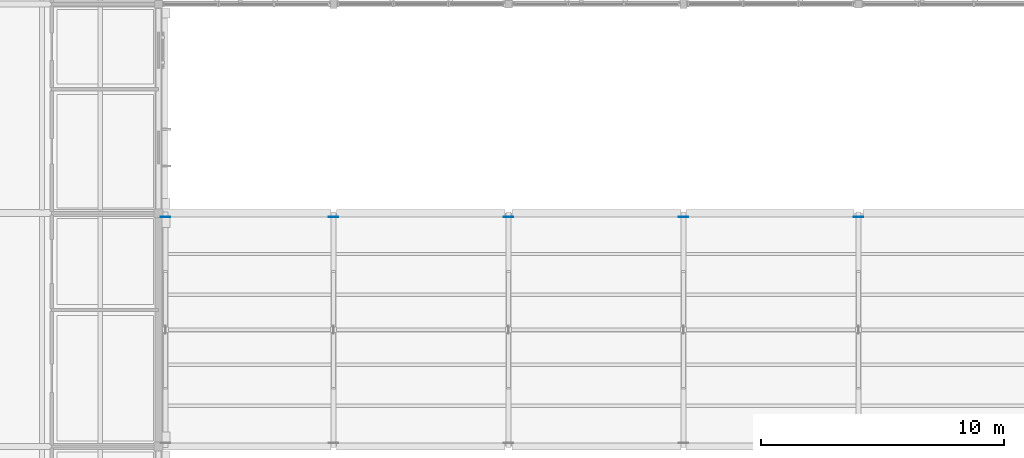
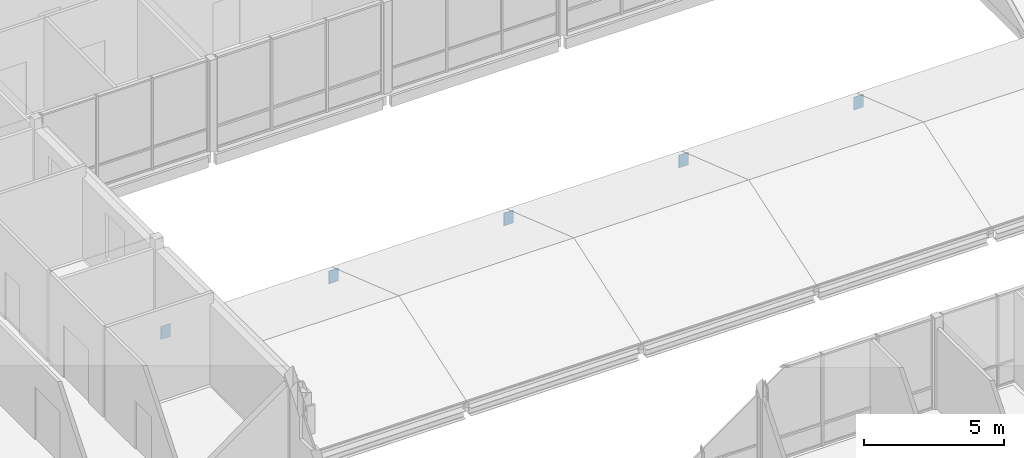
# One storey, part 75 of 115: 5 plates.
"""IFC4 building model written with IfcOpenShell, lengths in metres."""

from ifc_helpers import new_model, si_unit, direction, frame, origin, origin_2d, place, context, subcontext, project, spatial, rectangle, extrude, material, layer, layer_set, type_object, element, save


model = new_model("IFC4")

# Units and contexts
model_context = context("Model", 3, precision=1e-05, world=origin(), true_north=direction((0.0, 1.0)))
body_context = subcontext(model_context, "Body", "Model", "MODEL_VIEW")
ifc_project = project(units=[si_unit("LENGTHUNIT", "METRE"), si_unit("AREAUNIT", "SQUARE_METRE"), si_unit("VOLUMEUNIT", "CUBIC_METRE"), si_unit("PLANEANGLEUNIT", "RADIAN"), si_unit("MASSUNIT", "GRAM", prefix="KILO")], contexts=[model_context])

# Site, building, storey
site_placement = place(None, origin())
site = spatial("IfcSite", under=ifc_project, at=site_placement, CompositionType="ELEMENT")
building_placement = place(site_placement, origin())
building = spatial("IfcBuilding", under=site, at=building_placement, Name="Hawrajan Terrace Health Centre", CompositionType="ELEMENT")
storey_placement = place(building_placement, frame((0.0, 0.0, 9.0)))
storey = spatial("IfcBuildingStorey", under=building, at=storey_placement, Name="L02", CompositionType="ELEMENT", Elevation=9.0)

# Plates
ifc_material = material(Name="Steel S355", Category="steel")
ifc_layer = layer(ifc_material, 0.02001953125)
ifc_layer_set = layer_set([ifc_layer], Name="Steel S355")
plate_type = type_object("IfcPlateType", Name="HoldDownShoe_S355_20", PredefinedType="SHEET", material=ifc_layer_set)
for number, where, z_axis, x_axis, name in (
    (1, (26.47998046875, 36.64990234375, -0.5), (0.0, 0.0, 1.0), (1.0, 0.0, 0.0), "Pinned uplift hold-down shoe W-G04-TRS-SHOE-N"),
    (2, (33.39990234375, 36.64990234375, -0.5), (0.0, 0.0, 1.0), (1.0, 0.0, 0.0), "Pinned uplift hold-down shoe W-G05-TRS-SHOE-N"),
    (3, (40.60009765625, 36.64990234375, -0.5), (0.0, 0.0, 1.0), (1.0, 0.0, 0.0), "Pinned uplift hold-down shoe W-G06-TRS-SHOE-N"),
    (4, (47.800048828125, 36.64990234375, -0.5), (0.0, 0.0, 1.0), (1.0, 0.0, 0.0), "Pinned uplift hold-down shoe W-G07-TRS-SHOE-N"),
    (5, (55.0, 36.64990234375, -0.5), (0.0, 0.0, 1.0), (1.0, 0.0, 0.0), "Pinned uplift hold-down shoe W-G08-TRS-SHOE-N"),
):
    element("IfcPlate", number, at=place(storey_placement, frame(where, z_axis=z_axis, x_axis=x_axis)), inside=storey, type_object=plate_type, Name=name, PredefinedType="SHEET", context=body_context, shape_type="SweptSolid", body=[
        extrude(rectangle(XDim=0.39990234375, YDim=0.02001953125, at=origin_2d()), origin(), (0.0, 0.0, 1.0), 0.56005859375),
    ])

save(model, "model.ifc")
